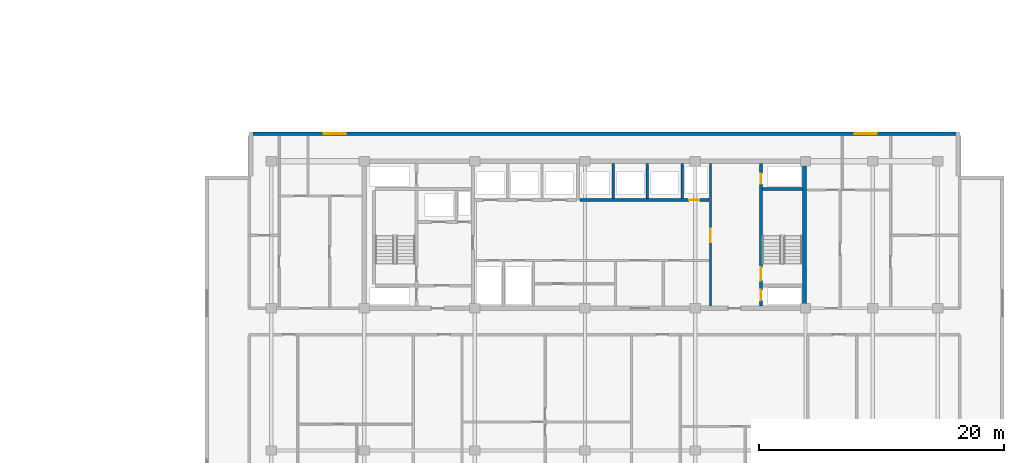
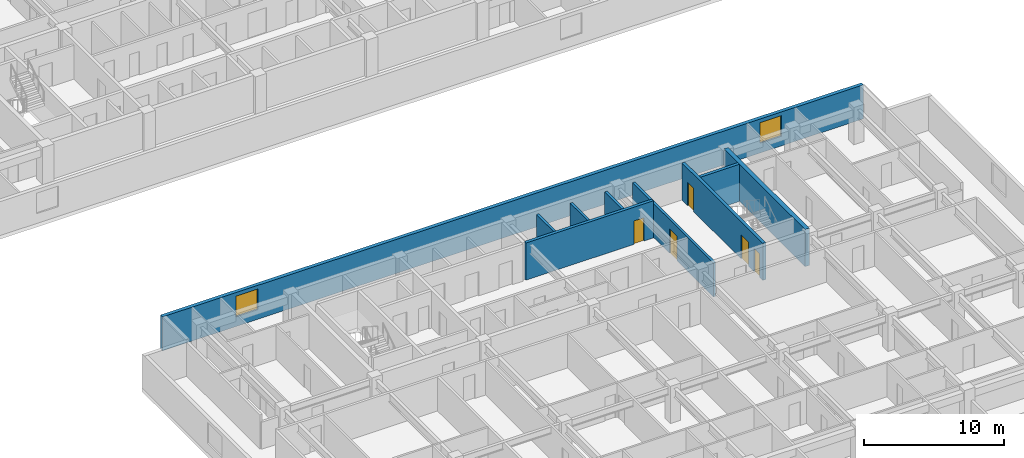
# One storey, part 8 of 22: 9 walls, 5 doors, 2 windows, 7 openings.
"""IFC4 building model written with IfcOpenShell, lengths in metres."""

from ifc_helpers import new_model, si_unit, direction, frame, frame_2d, origin, place, context, subcontext, project, spatial, rectangle, extrude, material, layer, layer_set, type_object, element, fill, save


model = new_model("IFC4")

# Units and contexts
model_context = context("Model", 3, precision=1e-05, world=origin(), true_north=direction((0.0, 1.0)))
body_context = subcontext(model_context, "Body", "Model", "MODEL_VIEW")
ifc_project = project(units=[si_unit("LENGTHUNIT", "METRE"), si_unit("AREAUNIT", "SQUARE_METRE"), si_unit("VOLUMEUNIT", "CUBIC_METRE"), si_unit("PLANEANGLEUNIT", "RADIAN"), si_unit("MASSUNIT", "GRAM", prefix="KILO")], contexts=[model_context])

# Site, building, storey
site_placement = place(None, origin())
site = spatial("IfcSite", under=ifc_project, at=site_placement, CompositionType="ELEMENT")
building_placement = place(site_placement, origin())
building = spatial("IfcBuilding", under=site, at=building_placement, Name="Korimba Cascade Residences", CompositionType="ELEMENT")
storey_placement = place(building_placement, frame((0.0, 0.0, 80.800048828125)))
storey = spatial("IfcBuildingStorey", under=building, at=storey_placement, Name="L22", CompositionType="ELEMENT", Elevation=80.800048828125)

# Wall, openings, windows
ifc_material_1 = material(Name="Precast concrete C40/50", Category="concrete")
ifc_layer_1 = layer(ifc_material_1, 0.300048828125)
ifc_layer_set_1 = layer_set([ifc_layer_1], Name="Precast concrete C40/50")
wall_type_1 = type_object("IfcWallType", Name="EW-STONE-300", PredefinedType="STANDARD", material=ifc_layer_set_1)
wall_1_placement = place(storey_placement, frame((130.699951171875, 32.64990234375, 0.0), z_axis=(0.0, 0.0, 1.0), x_axis=(-1.0, 0.0, 0.0)))
wall_1 = element("IfcWall", 1, at=wall_1_placement, inside=storey, type_object=wall_type_1, Name="L22 T2 Perimeter Stone Wall E06", PredefinedType="STANDARD", context=body_context, shape_type="SweptSolid", body=[
    extrude(rectangle(XDim=58.0, YDim=0.300048828125, at=frame_2d((29.0, 0.0))), origin(), (0.0, 0.0, 1.0), 2.969970703125),
])
opening_1_placement = place(wall_1_placement, frame((50.125, 0.0, 0.85009765625)))
opening_1 = element("IfcOpeningElement", 2, at=opening_1_placement, cuts=wall_1, Name="Opening W-02", PredefinedType="OPENING", context=body_context, shape_type="SweptSolid", body=[
    extrude(rectangle(XDim=1.800048828125, YDim=1.800048828125, at=frame_2d((0.89990234375, 0.89990234375))), frame((0.0, 0.16015625, 0.0), z_axis=(0.0, -1.0, 0.0), x_axis=(1.0, 0.0, 0.0)), (0.0, 0.0, 1.0), 0.320068359375),
])
opening_2_placement = place(wall_1_placement, frame((6.77490234375, 0.0, 0.85009765625)))
opening_2 = element("IfcOpeningElement", 3, at=opening_2_placement, cuts=wall_1, Name="Opening W-02", PredefinedType="OPENING", context=body_context, shape_type="SweptSolid", body=[
    extrude(rectangle(XDim=1.800048828125, YDim=1.800048828125, at=frame_2d((0.89990234375, 0.89990234375))), frame((0.0, 0.16015625, 0.0), z_axis=(0.0, -1.0, 0.0), x_axis=(1.0, 0.0, 0.0)), (0.0, 0.0, 1.0), 0.320068359375),
])
ifc_material_2 = material(Name="Double-Glazed Aluminium Window", Category="aluminium")
window_type = type_object("IfcWindowType", Name="WIN-BED-1800", PartitioningType="SINGLE_PANEL", PredefinedType="WINDOW", material=ifc_material_2)
window_1_placement = place(opening_1_placement, origin())
window_1 = element("IfcWindow", 4, at=window_1_placement, inside=storey, type_object=window_type, Name="L22 T2 North Corner Bedroom Window 1", OverallHeight=1.800048828125, OverallWidth=1.800048828125, PartitioningType="SINGLE_PANEL", PredefinedType="WINDOW", context=body_context, shape_type="SweptSolid", body=[
    extrude(rectangle(XDim=1.800048828125, YDim=1.800048828125, at=frame_2d((0.89990234375, 0.89990234375))), frame((0.0, 0.030029296875, 0.0), z_axis=(0.0, -1.0, 0.0), x_axis=(1.0, 0.0, 0.0)), (0.0, 0.0, 1.0), 0.06005859375),
])
fill(opening_1, window_1)
window_2_placement = place(opening_2_placement, origin())
window_2 = element("IfcWindow", 5, at=window_2_placement, inside=storey, type_object=window_type, Name="L22 T2 North Corner Bedroom Window 2", OverallHeight=1.800048828125, OverallWidth=1.800048828125, PartitioningType="SINGLE_PANEL", PredefinedType="WINDOW", context=body_context, shape_type="SweptSolid", body=[
    extrude(rectangle(XDim=1.800048828125, YDim=1.800048828125, at=frame_2d((0.89990234375, 0.89990234375))), frame((0.0, 0.030029296875, 0.0), z_axis=(0.0, -1.0, 0.0), x_axis=(1.0, 0.0, 0.0)), (0.0, 0.0, 1.0), 0.06005859375),
])
fill(opening_2, window_2)

# Walls
ifc_material_3 = material(Name="Concrete C65/80", Category="concrete")
ifc_layer_2 = layer(ifc_material_3, 0.35009765625)
ifc_layer_set_2 = layer_set([ifc_layer_2], Name="Concrete C65/80")
wall_type_2 = type_object("IfcWallType", Name="WAL-CORE-350", PredefinedType="SHEAR", material=ifc_layer_set_2)
wall_2_placement = place(storey_placement, frame((118.014892578125, 18.574951171875, 0.0), z_axis=(0.0, 0.0, 1.0), x_axis=(0.0, 1.0, 0.0)))
element("IfcWall", 6, at=wall_2_placement, inside=storey, type_object=wall_type_2, Name="L22 Core Shear Wall CW-L22-T2-E", PredefinedType="SHEAR", context=body_context, shape_type="SweptSolid", body=[
    extrude(rectangle(XDim=11.650146484375, YDim=0.35009765625, at=frame_2d((5.8251953125, 0.0))), origin(), (0.0, 0.0, 1.0), 3.25),
])
ifc_material_4 = material(Name="Concrete C40/50", Category="concrete")
ifc_layer_3 = layer(ifc_material_4, 0.199951171875)
ifc_layer_set_3 = layer_set([ifc_layer_3], Name="Concrete C40/50")
wall_type_3 = type_object("IfcWallType", Name="WAL-PART-200", PredefinedType="PARTITIONING", material=ifc_layer_set_3)
for number, where, z_axis, x_axis, name in (
    (7, (102.39990234375, 27.3798828125, 0.0), (0.0, 0.0, 1.0), (0.0, 1.0, 0.0), "L22 Partition Wall CW-L22-T2-B2D1"),
    (8, (105.199951171875, 27.3798828125, 0.0), (0.0, 0.0, 1.0), (0.0, 1.0, 0.0), "L22 Partition Wall CW-L22-T2-B2D2"),
    (9, (108.050048828125, 27.3798828125, 0.0), (0.0, 0.0, 1.0), (0.0, 1.0, 0.0), "L22 Partition Wall CW-L22-T2-B2D3"),
):
    element("IfcWall", number, at=place(storey_placement, frame(where, z_axis=z_axis, x_axis=x_axis)), inside=storey, type_object=wall_type_3, Name=name, PredefinedType="PARTITIONING", context=body_context, shape_type="SweptSolid", body=[
        extrude(rectangle(XDim=2.820068359375, YDim=0.199951171875, at=frame_2d((1.41015625, 0.0))), origin(), (0.0, 0.0, 1.0), 2.969970703125),
    ])

# Wall, opening, door
wall_3_placement = place(storey_placement, frame((110.35009765625, 18.60009765625, 0.0), z_axis=(0.0, 0.0, 1.0), x_axis=(0.0, 1.0, 0.0)))
wall_3 = element("IfcWall", 10, at=wall_3_placement, inside=storey, type_object=wall_type_3, Name="L22 Partition Wall CW-L22-T2-LLEV", PredefinedType="PARTITIONING", context=body_context, shape_type="SweptSolid", body=[
    extrude(rectangle(XDim=11.599853515625, YDim=0.199951171875, at=frame_2d((5.7998046875, 0.0))), origin(), (0.0, 0.0, 1.0), 2.969970703125),
])
opening_3_placement = place(wall_3_placement, frame((5.199951171875, 0.0, 0.0)))
opening_3 = element("IfcOpeningElement", 11, at=opening_3_placement, cuts=wall_3, Name="Opening D-FD6", PredefinedType="OPENING", context=body_context, shape_type="SweptSolid", body=[
    extrude(rectangle(XDim=1.10009765625, YDim=2.14990234375, at=frame_2d((0.550048828125, 1.074951171875))), frame((0.0, 0.10986328125, 0.0), z_axis=(0.0, -1.0, 0.0), x_axis=(1.0, 0.0, 0.0)), (0.0, 0.0, 1.0), 0.219970703125),
])
ifc_material_5 = material(Name="Fire-Rated Timber Stair Lobby Door", Category="wood")
door_type_1 = type_object("IfcDoorType", Name="DR-FD90-1100", OperationType="NOTDEFINED", PredefinedType="DOOR", material=ifc_material_5)
door_1_placement = place(opening_3_placement, origin())
door_1 = element("IfcDoor", 12, at=door_1_placement, inside=storey, type_object=door_type_1, Name="L22 T2 Lift Lobby to East Stair Lobby Door", OperationType="SINGLE_SWING_RIGHT", OverallHeight=2.14990234375, OverallWidth=1.10009765625, PredefinedType="DOOR", context=body_context, shape_type="SweptSolid", body=[
    extrude(rectangle(XDim=1.10009765625, YDim=2.14990234375, at=frame_2d((0.550048828125, 1.074951171875))), frame((0.0, 0.02490234375, 0.0), z_axis=(0.0, -1.0, 0.0), x_axis=(1.0, 0.0, 0.0)), (0.0, 0.0, 1.0), 0.050048828125),
])
fill(opening_3, door_1)

ifc_material_6 = material(Name="Concrete C50/60", Category="concrete")
ifc_layer_4 = layer(ifc_material_6, 0.25)
ifc_layer_set_4 = layer_set([ifc_layer_4], Name="Concrete C50/60")
wall_type_4 = type_object("IfcWallType", Name="WAL-SHAFT-250", PredefinedType="SHEAR", material=ifc_layer_set_4)
wall_4_placement = place(storey_placement, frame((99.679931640625, 27.25, 0.0), z_axis=(0.0, 0.0, 1.0), x_axis=(1.0, 0.0, 0.0)))
wall_4 = element("IfcWall", 13, at=wall_4_placement, inside=storey, type_object=wall_type_4, Name="L22 Core Shear Wall CW-L22-T2-B2S", PredefinedType="SHEAR", context=body_context, shape_type="SweptSolid", body=[
    extrude(rectangle(XDim=10.5400390625, YDim=0.25, at=frame_2d((5.27001953125, 0.0))), origin(), (0.0, 0.0, 1.0), 3.25),
])
opening_4_placement = place(wall_4_placement, frame((8.919921875, 0.0, 0.0)))
opening_4 = element("IfcOpeningElement", 14, at=opening_4_placement, cuts=wall_4, Name="Opening D-RS1", PredefinedType="OPENING", context=body_context, shape_type="SweptSolid", body=[
    extrude(rectangle(XDim=0.85009765625, YDim=2.050048828125, at=frame_2d((0.425048828125, 1.02490234375))), frame((0.0, 0.135009765625, 0.0), z_axis=(0.0, -1.0, 0.0), x_axis=(1.0, 0.0, 0.0)), (0.0, 0.0, 1.0), 0.27001953125),
])
ifc_material_7 = material(Name="Fire-Rated Steel Riser Access Door", Category="steel")
door_type_2 = type_object("IfcDoorType", Name="DR-FD60-850", OperationType="NOTDEFINED", PredefinedType="DOOR", material=ifc_material_7)
door_2_placement = place(opening_4_placement, origin())
door_2 = element("IfcDoor", 15, at=door_2_placement, inside=storey, type_object=door_type_2, Name="L22 T2 Duct Door", OperationType="SINGLE_SWING_RIGHT", OverallHeight=2.050048828125, OverallWidth=0.85009765625, PredefinedType="DOOR", context=body_context, shape_type="SweptSolid", body=[
    extrude(rectangle(XDim=0.85009765625, YDim=2.050048828125, at=frame_2d((0.425048828125, 1.02490234375))), frame((0.0, 0.02490234375, 0.0), z_axis=(0.0, -1.0, 0.0), x_axis=(1.0, 0.0, 0.0)), (0.0, 0.0, 1.0), 0.050048828125),
])
fill(opening_4, door_2)

# Wall, openings, doors
wall_5_placement = place(storey_placement, frame((114.47509765625, 18.60009765625, 0.0), z_axis=(0.0, 0.0, 1.0), x_axis=(0.0, 1.0, 0.0)))
wall_5 = element("IfcWall", 16, at=wall_5_placement, inside=storey, type_object=wall_type_4, Name="L22 Core Shear Wall CW-L22-T2-STE2W", PredefinedType="SHEAR", context=body_context, shape_type="SweptSolid", body=[
    extrude(rectangle(XDim=11.599853515625, YDim=0.25, at=frame_2d((5.7998046875, 0.0))), origin(), (0.0, 0.0, 1.0), 3.25),
])
opening_5_placement = place(wall_5_placement, frame((0.449951171875, 0.0, 0.0)))
opening_5 = element("IfcOpeningElement", 17, at=opening_5_placement, cuts=wall_5, Name="Opening D-RS1", PredefinedType="OPENING", context=body_context, shape_type="SweptSolid", body=[
    extrude(rectangle(XDim=0.85009765625, YDim=2.050048828125, at=frame_2d((0.425048828125, 1.02490234375))), frame((0.0, 0.135009765625, 0.0), z_axis=(0.0, -1.0, 0.0), x_axis=(1.0, 0.0, 0.0)), (0.0, 0.0, 1.0), 0.27001953125),
])
opening_6_placement = place(wall_5_placement, frame((2.050048828125, 0.0, 0.0)))
opening_6 = element("IfcOpeningElement", 18, at=opening_6_placement, cuts=wall_5, Name="Opening D-FD1", PredefinedType="OPENING", context=body_context, shape_type="SweptSolid", body=[
    extrude(rectangle(XDim=1.10009765625, YDim=2.10009765625, at=frame_2d((0.550048828125, 1.050048828125))), frame((0.0, 0.135009765625, 0.0), z_axis=(0.0, -1.0, 0.0), x_axis=(1.0, 0.0, 0.0)), (0.0, 0.0, 1.0), 0.27001953125),
])
opening_7_placement = place(wall_5_placement, frame((9.949951171875, 0.0, 0.0)))
opening_7 = element("IfcOpeningElement", 19, at=opening_7_placement, cuts=wall_5, Name="Opening D-RS1", PredefinedType="OPENING", context=body_context, shape_type="SweptSolid", body=[
    extrude(rectangle(XDim=0.85009765625, YDim=2.050048828125, at=frame_2d((0.425048828125, 1.02490234375))), frame((0.0, 0.135009765625, 0.0), z_axis=(0.0, -1.0, 0.0), x_axis=(1.0, 0.0, 0.0)), (0.0, 0.0, 1.0), 0.27001953125),
])
ifc_material_8 = material(Name="Fire-Rated Steel Core Door", Category="steel")
door_type_3 = type_object("IfcDoorType", Name="DR-FD120-1100", OperationType="NOTDEFINED", PredefinedType="DOOR", material=ifc_material_8)
door_3_placement = place(opening_6_placement, origin())
door_3 = element("IfcDoor", 20, at=door_3_placement, inside=storey, type_object=door_type_3, Name="L22 Fire Stair ST-E2 Door", OperationType="SINGLE_SWING_RIGHT", OverallHeight=2.10009765625, OverallWidth=1.10009765625, PredefinedType="DOOR", context=body_context, shape_type="SweptSolid", body=[
    extrude(rectangle(XDim=1.10009765625, YDim=2.10009765625, at=frame_2d((0.550048828125, 1.050048828125))), frame((0.0, 0.02490234375, 0.0), z_axis=(0.0, -1.0, 0.0), x_axis=(1.0, 0.0, 0.0)), (0.0, 0.0, 1.0), 0.050048828125),
])
fill(opening_6, door_3)
door_4_placement = place(opening_5_placement, origin())
door_4 = element("IfcDoor", 21, at=door_4_placement, inside=storey, type_object=door_type_2, Name="L22 T2 East Hydrant Door", OperationType="SINGLE_SWING_LEFT", OverallHeight=2.050048828125, OverallWidth=0.85009765625, PredefinedType="DOOR", context=body_context, shape_type="SweptSolid", body=[
    extrude(rectangle(XDim=0.85009765625, YDim=2.050048828125, at=frame_2d((0.425048828125, 1.02490234375))), frame((0.0, 0.02490234375, 0.0), z_axis=(0.0, -1.0, 0.0), x_axis=(1.0, 0.0, 0.0)), (0.0, 0.0, 1.0), 0.050048828125),
])
fill(opening_5, door_4)
door_5_placement = place(opening_7_placement, origin())
door_5 = element("IfcDoor", 22, at=door_5_placement, inside=storey, type_object=door_type_2, Name="L22 T2 East Riser Door", OperationType="SINGLE_SWING_LEFT", OverallHeight=2.050048828125, OverallWidth=0.85009765625, PredefinedType="DOOR", context=body_context, shape_type="SweptSolid", body=[
    extrude(rectangle(XDim=0.85009765625, YDim=2.050048828125, at=frame_2d((0.425048828125, 1.02490234375))), frame((0.0, 0.02490234375, 0.0), z_axis=(0.0, -1.0, 0.0), x_axis=(1.0, 0.0, 0.0)), (0.0, 0.0, 1.0), 0.050048828125),
])
fill(opening_7, door_5)

# Wall
wall_6_placement = place(storey_placement, frame((114.60009765625, 28.125, 0.0), z_axis=(0.0, 0.0, 1.0), x_axis=(1.0, 0.0, 0.0)))
element("IfcWall", 23, at=wall_6_placement, inside=storey, type_object=wall_type_4, Name="L22 Core Shear Wall CW-L22-T2-STE2N", PredefinedType="SHEAR", context=body_context, shape_type="SweptSolid", body=[
    extrude(rectangle(XDim=3.239990234375, YDim=0.25, at=frame_2d((1.6201171875, 0.0))), origin(), (0.0, 0.0, 1.0), 3.25),
])

save(model, "model.ifc")
